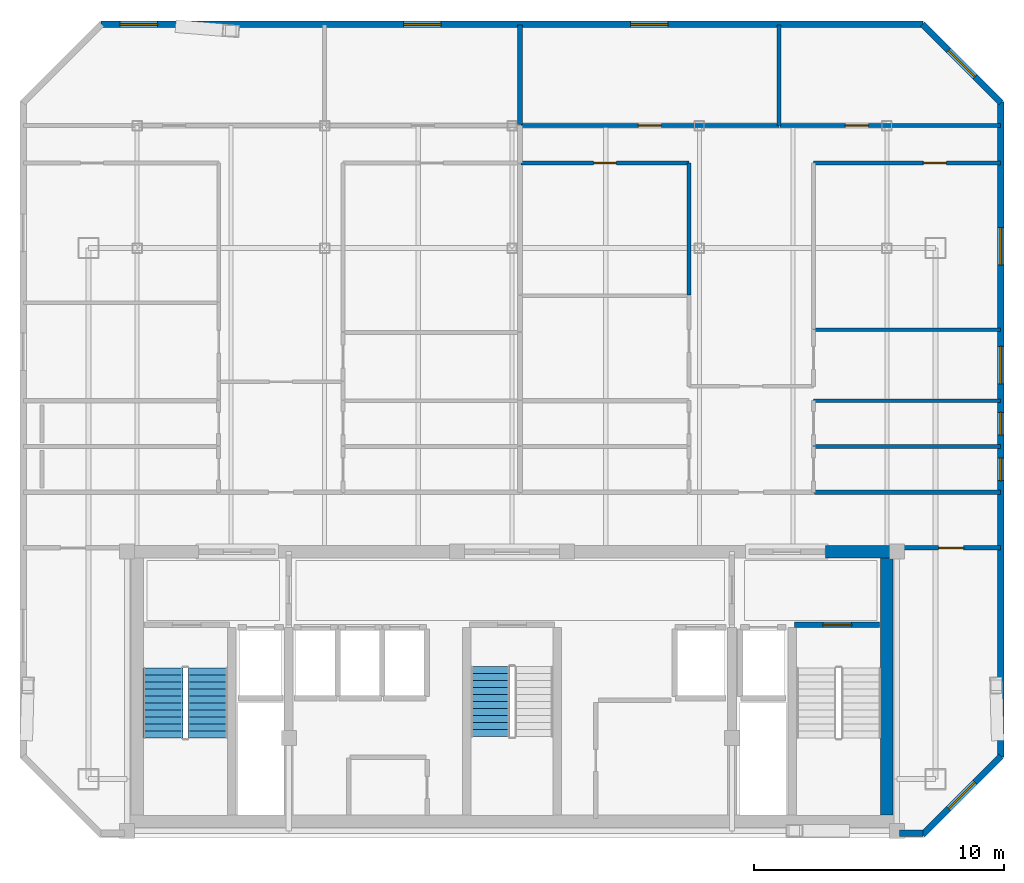
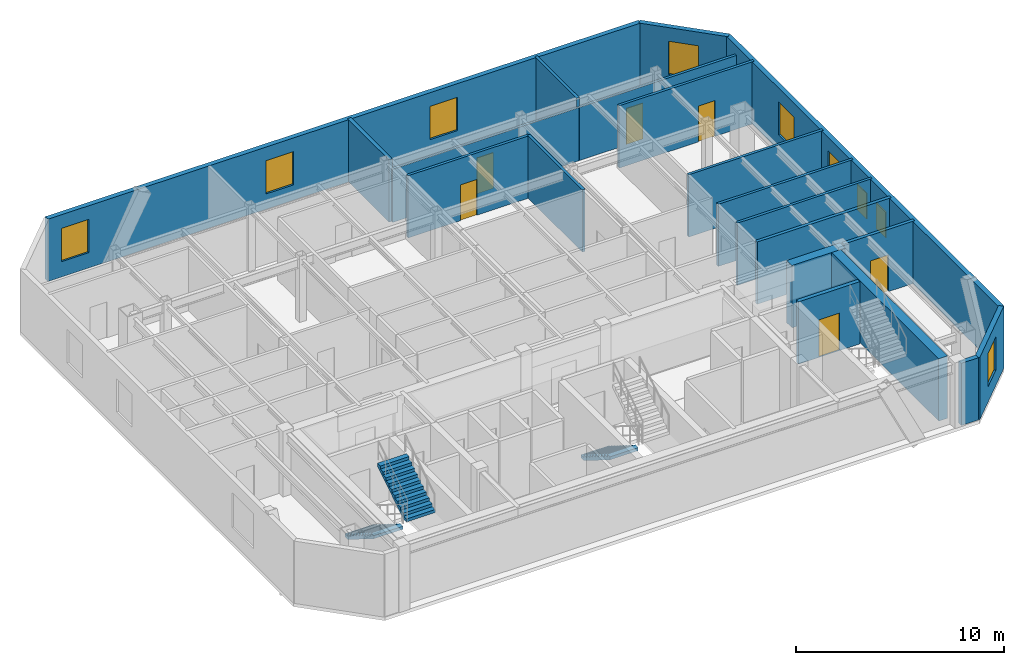
# One storey, part 5 of 7: 20 walls, 9 windows, 6 doors, 3 stair flights, 15 openings, 2 elements without a shape of their own.
"""IFC4 building model written with IfcOpenShell, lengths in metres."""

from ifc_helpers import new_model, si_unit, direction, frame, frame_2d, origin, place, context, subcontext, project, spatial, polyline, rectangle, outline, extrude, material, layer, layer_set, type_object, element, fill, aggregate, save


model = new_model("IFC4")

# Units and contexts
model_context = context("Model", 3, precision=1e-05, world=origin(), true_north=direction((0.0, 1.0)))
body_context = subcontext(model_context, "Body", "Model", "MODEL_VIEW")
ifc_project = project(units=[si_unit("LENGTHUNIT", "METRE"), si_unit("AREAUNIT", "SQUARE_METRE"), si_unit("VOLUMEUNIT", "CUBIC_METRE"), si_unit("PLANEANGLEUNIT", "RADIAN"), si_unit("MASSUNIT", "GRAM", prefix="KILO")], contexts=[model_context])

# Site, building, storey
site_placement = place(None, origin())
site = spatial("IfcSite", under=ifc_project, at=site_placement, CompositionType="ELEMENT")
building_placement = place(site_placement, origin())
building = spatial("IfcBuilding", under=site, at=building_placement, Name="Ventersveld Concourse Tower", CompositionType="ELEMENT")
storey_placement = place(building_placement, frame((0.0, 0.0, 320.75)))
storey = spatial("IfcBuildingStorey", under=building, at=storey_placement, Name="L79", CompositionType="ELEMENT", Elevation=320.75)

# Walls
ifc_material_1 = material(Name="Concrete C50/60", Category="concrete")
ifc_layer_1 = layer(ifc_material_1, 0.5)
ifc_layer_set_1 = layer_set([ifc_layer_1], Name="Concrete C50/60")
wall_type_1 = type_object("IfcWallType", Name="WL-CORE-500", PredefinedType="SHEAR", material=ifc_layer_set_1)
wall_1_placement = place(storey_placement, frame((43.75, 0.919921875, 0.0), z_axis=(0.0, 0.0, 1.0), x_axis=(0.0, 1.0, 0.0)))
element("IfcWall", 1, at=wall_1_placement, inside=storey, type_object=wall_type_1, Name="L79 Rear Core East Shear Wall", PredefinedType="SHEAR", context=body_context, shape_type="SweptSolid", body=[
    extrude(rectangle(XDim=10.530029296875, YDim=0.5, at=frame_2d((5.26513671875, 0.0))), origin(), (0.0, 0.0, 1.0), 3.64990234375),
])
wall_2_placement = place(storey_placement, frame((41.300048828125, 11.449951171875, 0.0), z_axis=(0.0, 0.0, 1.0), x_axis=(1.0, 0.0, 0.0)))
element("IfcWall", 2, at=wall_2_placement, inside=storey, type_object=wall_type_1, Name="L79 Rear Core North Shear Wall NE", PredefinedType="SHEAR", context=body_context, shape_type="SweptSolid", body=[
    extrude(rectangle(XDim=2.949951171875, YDim=0.5, at=frame_2d((1.47509765625, 0.0))), origin(), (0.0, 0.0, 1.0), 3.64990234375),
])

# Wall, opening, door
ifc_material_2 = material(Name="Fire-rated autoclaved aerated masonry blockwork", Category="masonry")
ifc_layer_2 = layer(ifc_material_2, 0.179931640625)
ifc_layer_set_2 = layer_set([ifc_layer_2], Name="Fire-rated autoclaved aerated masonry blockwork")
wall_type_2 = type_object("IfcWallType", Name="WL-CORR-180", PredefinedType="PARTITIONING", material=ifc_layer_set_2)
wall_3_placement = place(storey_placement, frame((44.35498046875, 11.60009765625, 0.0), z_axis=(0.0, 0.0, 1.0), x_axis=(1.0, 0.0, 0.0)))
wall_3 = element("IfcWall", 3, at=wall_3_placement, inside=storey, type_object=wall_type_2, Name="L79 Interior Partition SP-L79-SE-OFF-SP-L79-COR", PredefinedType="PARTITIONING", context=body_context, shape_type="SweptSolid", body=[
    extrude(rectangle(XDim=3.931396484375, YDim=0.179931640625, at=frame_2d((1.9658203125, 0.0))), origin(), (0.0, 0.0, 1.0), 3.64990234375),
])
opening_1_placement = place(wall_3_placement, frame((1.4658203125, 0.0, 0.0)))
opening_1 = element("IfcOpeningElement", 4, at=opening_1_placement, cuts=wall_3, Name="Opening FD3", PredefinedType="OPENING", context=body_context, shape_type="SweptSolid", body=[
    extrude(rectangle(XDim=1.0, YDim=2.14990234375, at=frame_2d((0.5, 1.074951171875))), frame((0.0, 0.10009765625, 0.0), z_axis=(0.0, -1.0, 0.0), x_axis=(1.0, 0.0, 0.0)), (0.0, 0.0, 1.0), 0.199951171875),
])
ifc_material_3 = material(Name="Solid-core hardwood veneer timber", Category="wood")
door_type_1 = type_object("IfcDoorType", Name="DR-FLAT-100", OperationType="NOTDEFINED", PredefinedType="DOOR", material=ifc_material_3)
door_1_placement = place(opening_1_placement, origin())
door_1 = element("IfcDoor", 5, at=door_1_placement, inside=storey, type_object=door_type_1, Name="L79 Interior Door SP-L79-SE-OFF to SP-L79-COR (D-L79-3603)", OperationType="SINGLE_SWING_LEFT", OverallHeight=2.14990234375, OverallWidth=1.0, PredefinedType="DOOR", context=body_context, shape_type="SweptSolid", body=[
    extrude(rectangle(XDim=1.0, YDim=2.14990234375, at=frame_2d((0.5, 1.074951171875))), frame((0.0, 0.02490234375, 0.0), z_axis=(0.0, -1.0, 0.0), x_axis=(1.0, 0.0, 0.0)), (0.0, 0.0, 1.0), 0.050048828125),
])
fill(opening_1, door_1)

# Walls
wall_4_placement = place(storey_placement, frame((40.845703125, 13.830078125, 0.0), z_axis=(0.0, 0.0, 1.0), x_axis=(1.0, 0.0, 0.0)))
element("IfcWall", 6, at=wall_4_placement, inside=storey, type_object=wall_type_2, Name="L79 Interior Partition SP-L79-COR-SP-L79-79N2-KIT", PredefinedType="PARTITIONING", context=body_context, shape_type="SweptSolid", body=[
    extrude(rectangle(XDim=7.440673828125, YDim=0.179931640625, at=frame_2d((3.72021484375, 0.0))), origin(), (0.0, 0.0, 1.0), 3.64990234375),
])
ifc_layer_3 = layer(ifc_material_2, 0.199951171875)
ifc_layer_set_3 = layer_set([ifc_layer_3], Name="Fire-rated autoclaved aerated masonry blockwork")
wall_type_3 = type_object("IfcWallType", Name="WL-DEMISE-200", PredefinedType="PARTITIONING", material=ifc_layer_set_3)
wall_5_placement = place(storey_placement, frame((29.072021484375, 28.534912109375, 0.0), z_axis=(0.0, 0.0, 1.0), x_axis=(0.0, 1.0, 0.0)))
element("IfcWall", 7, at=wall_5_placement, inside=storey, type_object=wall_type_3, Name="L79 Interior Partition SP-L79-79N1-BR2-SP-L79-79N2-BR1", PredefinedType="PARTITIONING", context=body_context, shape_type="SweptSolid", body=[
    extrude(rectangle(XDim=3.991943359375, YDim=0.199951171875, at=frame_2d((1.99609375, 0.0))), origin(), (0.0, 0.0, 1.0), 3.64990234375),
])

# Wall, opening, door
ifc_layer_4 = layer(ifc_material_2, 0.219970703125)
ifc_layer_set_4 = layer_set([ifc_layer_4], Name="Fire-rated autoclaved aerated masonry blockwork")
wall_type_4 = type_object("IfcWallType", Name="WL-HOIST-220", PredefinedType="SOLIDWALL", material=ifc_layer_set_4)
wall_6_placement = place(storey_placement, frame((40.06005859375, 8.52001953125, 0.0), z_axis=(0.0, 0.0, 1.0), x_axis=(1.0, 0.0, 0.0)))
wall_6 = element("IfcWall", 8, at=wall_6_placement, inside=storey, type_object=wall_type_4, Name="L79 Escape Stair ST02 Fire Wall", PredefinedType="SOLIDWALL", context=body_context, shape_type="SweptSolid", body=[
    extrude(rectangle(XDim=3.39990234375, YDim=0.219970703125, at=frame_2d((1.699951171875, 0.0))), origin(), (0.0, 0.0, 1.0), 3.64990234375),
])
opening_2_placement = place(wall_6_placement, frame((1.125, 0.0, 0.0)))
opening_2 = element("IfcOpeningElement", 9, at=opening_2_placement, cuts=wall_6, Name="Opening FD1", PredefinedType="OPENING", context=body_context, shape_type="SweptSolid", body=[
    extrude(rectangle(XDim=1.14990234375, YDim=2.199951171875, at=frame_2d((0.574951171875, 1.10009765625))), frame((0.0, 0.1201171875, 0.0), z_axis=(0.0, -1.0, 0.0), x_axis=(1.0, 0.0, 0.0)), (0.0, 0.0, 1.0), 0.239990234375),
])
ifc_material_4 = material(Name="Galvanised painted steel", Category="steel")
door_type_2 = type_object("IfcDoorType", Name="DR-STAIR-115", OperationType="NOTDEFINED", PredefinedType="DOOR", material=ifc_material_4)
door_2_placement = place(opening_2_placement, origin())
door_2 = element("IfcDoor", 10, at=door_2_placement, inside=storey, type_object=door_type_2, Name="L79 Escape Stair Door ST02 (SD-L79-3593)", OperationType="SINGLE_SWING_RIGHT", OverallHeight=2.199951171875, OverallWidth=1.14990234375, PredefinedType="DOOR", context=body_context, shape_type="SweptSolid", body=[
    extrude(rectangle(XDim=1.14990234375, YDim=2.199951171875, at=frame_2d((0.574951171875, 1.10009765625))), frame((0.0, 0.02490234375, 0.0), z_axis=(0.0, -1.0, 0.0), x_axis=(1.0, 0.0, 0.0)), (0.0, 0.0, 1.0), 0.050048828125),
])
fill(opening_2, door_2)

ifc_material_5 = material(Name="Autoclaved aerated masonry blockwork", Category="masonry")
ifc_layer_5 = layer(ifc_material_5, 0.14990234375)
ifc_layer_set_5 = layer_set([ifc_layer_5], Name="Autoclaved aerated masonry blockwork")
wall_type_5 = type_object("IfcWallType", Name="WL-INT-150", PredefinedType="PARTITIONING", material=ifc_layer_set_5)
wall_7_placement = place(storey_placement, frame((29.10693359375, 27.0, 0.0), z_axis=(0.0, 0.0, 1.0), x_axis=(1.0, 0.0, 0.0)))
wall_7 = element("IfcWall", 11, at=wall_7_placement, inside=storey, type_object=wall_type_5, Name="L79 Interior Partition SP-L79-79N2-LIV-SP-L79-79N2-MEDL2", PredefinedType="PARTITIONING", context=body_context, shape_type="SweptSolid", body=[
    extrude(rectangle(XDim=6.728759765625, YDim=0.14990234375, at=frame_2d((3.3642578125, 0.0))), origin(), (0.0, 0.0, 1.0), 3.64990234375),
])
opening_3_placement = place(wall_7_placement, frame((2.904296875, 0.0, 0.0)))
opening_3 = element("IfcOpeningElement", 12, at=opening_3_placement, cuts=wall_7, Name="Opening ID1", PredefinedType="OPENING", context=body_context, shape_type="SweptSolid", body=[
    extrude(rectangle(XDim=0.919921875, YDim=2.10009765625, at=frame_2d((0.4599609375, 1.050048828125))), frame((0.0, 0.0849609375, 0.0), z_axis=(0.0, -1.0, 0.0), x_axis=(1.0, 0.0, 0.0)), (0.0, 0.0, 1.0), 0.169921875),
])
door_type_3 = type_object("IfcDoorType", Name="DR-ROOM-092", OperationType="NOTDEFINED", PredefinedType="DOOR", material=ifc_material_3)
door_3_placement = place(opening_3_placement, origin())
door_3 = element("IfcDoor", 13, at=door_3_placement, inside=storey, type_object=door_type_3, Name="L79 Interior Door SP-L79-79N2-LIV to SP-L79-79N2-MEDL2 (D-L79-3623)", OperationType="SINGLE_SWING_LEFT", OverallHeight=2.10009765625, OverallWidth=0.919921875, PredefinedType="DOOR", context=body_context, shape_type="SweptSolid", body=[
    extrude(rectangle(XDim=0.919921875, YDim=2.10009765625, at=frame_2d((0.4599609375, 1.050048828125))), frame((0.0, 0.02490234375, 0.0), z_axis=(0.0, -1.0, 0.0), x_axis=(1.0, 0.0, 0.0)), (0.0, 0.0, 1.0), 0.050048828125),
])
fill(opening_3, door_3)

# Wall
wall_8_placement = place(storey_placement, frame((35.83056640625, 21.72509765625, 0.0), z_axis=(0.0, 0.0, 1.0), x_axis=(0.0, 1.0, 0.0)))
element("IfcWall", 14, at=wall_8_placement, inside=storey, type_object=wall_type_5, Name="L79 Interior Partition SP-L79-79N2-LIV-SP-L79-79N2-MEDL2", PredefinedType="PARTITIONING", context=body_context, shape_type="SweptSolid", body=[
    extrude(rectangle(XDim=5.27978515625, YDim=0.14990234375, at=frame_2d((2.639892578125, 0.0))), origin(), (0.0, 0.0, 1.0), 3.64990234375),
])

# Wall, opening, door
wall_9_placement = place(storey_placement, frame((40.8056640625, 27.0, 0.0), z_axis=(0.0, 0.0, 1.0), x_axis=(1.0, 0.0, 0.0)))
wall_9 = element("IfcWall", 15, at=wall_9_placement, inside=storey, type_object=wall_type_5, Name="L79 Interior Partition SP-L79-79N2-LIV-SP-L79-79N2-DENS2", PredefinedType="PARTITIONING", context=body_context, shape_type="SweptSolid", body=[
    extrude(rectangle(XDim=7.480712890625, YDim=0.14990234375, at=frame_2d((3.740234375, 0.0))), origin(), (0.0, 0.0, 1.0), 3.64990234375),
])
opening_4_placement = place(wall_9_placement, frame((4.402587890625, 0.0, 0.0)))
opening_4 = element("IfcOpeningElement", 16, at=opening_4_placement, cuts=wall_9, Name="Opening ID1", PredefinedType="OPENING", context=body_context, shape_type="SweptSolid", body=[
    extrude(rectangle(XDim=0.919921875, YDim=2.10009765625, at=frame_2d((0.4599609375, 1.050048828125))), frame((0.0, 0.0849609375, 0.0), z_axis=(0.0, -1.0, 0.0), x_axis=(1.0, 0.0, 0.0)), (0.0, 0.0, 1.0), 0.169921875),
])
door_4_placement = place(opening_4_placement, origin())
door_4 = element("IfcDoor", 17, at=door_4_placement, inside=storey, type_object=door_type_3, Name="L79 Interior Door SP-L79-79N2-LIV to SP-L79-79N2-DENS2 (D-L79-3625)", OperationType="SINGLE_SWING_LEFT", OverallHeight=2.10009765625, OverallWidth=0.919921875, PredefinedType="DOOR", context=body_context, shape_type="SweptSolid", body=[
    extrude(rectangle(XDim=0.919921875, YDim=2.10009765625, at=frame_2d((0.4599609375, 1.050048828125))), frame((0.0, 0.02490234375, 0.0), z_axis=(0.0, -1.0, 0.0), x_axis=(1.0, 0.0, 0.0)), (0.0, 0.0, 1.0), 0.050048828125),
])
fill(opening_4, door_4)

wall_10_placement = place(storey_placement, frame((29.10693359375, 28.5, 0.0), z_axis=(0.0, 0.0, 1.0), x_axis=(1.0, 0.0, 0.0)))
wall_10 = element("IfcWall", 18, at=wall_10_placement, inside=storey, type_object=wall_type_5, Name="L79 Interior Partition SP-L79-79N2-LIV-SP-L79-79N2-BR1", PredefinedType="PARTITIONING", context=body_context, shape_type="SweptSolid", body=[
    extrude(rectangle(XDim=10.328369140625, YDim=0.14990234375, at=frame_2d((5.1640625, 0.0))), origin(), (0.0, 0.0, 1.0), 3.116943359375),
])
opening_5_placement = place(wall_10_placement, frame((4.7041015625, 0.0, 0.0)))
opening_5 = element("IfcOpeningElement", 19, at=opening_5_placement, cuts=wall_10, Name="Opening ID1", PredefinedType="OPENING", context=body_context, shape_type="SweptSolid", body=[
    extrude(rectangle(XDim=0.919921875, YDim=2.10009765625, at=frame_2d((0.4599609375, 1.050048828125))), frame((0.0, 0.0849609375, 0.0), z_axis=(0.0, -1.0, 0.0), x_axis=(1.0, 0.0, 0.0)), (0.0, 0.0, 1.0), 0.169921875),
])
door_5_placement = place(opening_5_placement, origin())
door_5 = element("IfcDoor", 20, at=door_5_placement, inside=storey, type_object=door_type_3, Name="L79 Interior Door SP-L79-79N2-LIV to SP-L79-79N2-BR1 (D-L79-3626)", OperationType="SINGLE_SWING_RIGHT", OverallHeight=2.10009765625, OverallWidth=0.919921875, PredefinedType="DOOR", context=body_context, shape_type="SweptSolid", body=[
    extrude(rectangle(XDim=0.919921875, YDim=2.10009765625, at=frame_2d((0.4599609375, 1.050048828125))), frame((0.0, 0.02490234375, 0.0), z_axis=(0.0, -1.0, 0.0), x_axis=(1.0, 0.0, 0.0)), (0.0, 0.0, 1.0), 0.050048828125),
])
fill(opening_5, door_5)

wall_11_placement = place(storey_placement, frame((39.46533203125, 28.5, 0.0), z_axis=(0.0, 0.0, 1.0), x_axis=(1.0, 0.0, 0.0)))
wall_11 = element("IfcWall", 21, at=wall_11_placement, inside=storey, type_object=wall_type_5, Name="L79 Interior Partition SP-L79-79N2-LIV-SP-L79-79N2-BR2", PredefinedType="PARTITIONING", context=body_context, shape_type="SweptSolid", body=[
    extrude(rectangle(XDim=8.821044921875, YDim=0.14990234375, at=frame_2d((4.41064453125, 0.0))), origin(), (0.0, 0.0, 1.0), 3.116943359375),
])
opening_6_placement = place(wall_11_placement, frame((2.62744140625, 0.0, 0.0)))
opening_6 = element("IfcOpeningElement", 22, at=opening_6_placement, cuts=wall_11, Name="Opening ID1", PredefinedType="OPENING", context=body_context, shape_type="SweptSolid", body=[
    extrude(rectangle(XDim=0.919921875, YDim=2.10009765625, at=frame_2d((0.4599609375, 1.050048828125))), frame((0.0, 0.0849609375, 0.0), z_axis=(0.0, -1.0, 0.0), x_axis=(1.0, 0.0, 0.0)), (0.0, 0.0, 1.0), 0.169921875),
])
door_6_placement = place(opening_6_placement, origin())
door_6 = element("IfcDoor", 23, at=door_6_placement, inside=storey, type_object=door_type_3, Name="L79 Interior Door SP-L79-79N2-LIV to SP-L79-79N2-BR2 (D-L79-3627)", OperationType="SINGLE_SWING_LEFT", OverallHeight=2.10009765625, OverallWidth=0.919921875, PredefinedType="DOOR", context=body_context, shape_type="SweptSolid", body=[
    extrude(rectangle(XDim=0.919921875, YDim=2.10009765625, at=frame_2d((0.4599609375, 1.050048828125))), frame((0.0, 0.02490234375, 0.0), z_axis=(0.0, -1.0, 0.0), x_axis=(1.0, 0.0, 0.0)), (0.0, 0.0, 1.0), 0.050048828125),
])
fill(opening_6, door_6)

# Walls
for number, where, z_axis, x_axis, name in (
    (24, (40.8056640625, 15.659912109375, 0.0), (0.0, 0.0, 1.0), (1.0, 0.0, 0.0), "L79 Interior Partition SP-L79-79N2-KIT-SP-L79-79N2-PANR1"),
    (25, (40.8056640625, 17.489990234375, 0.0), (0.0, 0.0, 1.0), (1.0, 0.0, 0.0), "L79 Interior Partition SP-L79-79N2-PANR1-SP-L79-79N2-SEMR3"),
    (26, (40.8056640625, 20.33203125, 0.0), (0.0, 0.0, 1.0), (1.0, 0.0, 0.0), "L79 Interior Partition SP-L79-79N2-SEMR3-SP-L79-79N2-DENS2"),
):
    element("IfcWall", number, at=place(storey_placement, frame(where, z_axis=z_axis, x_axis=x_axis)), inside=storey, type_object=wall_type_5, Name=name, PredefinedType="PARTITIONING", context=body_context, shape_type="SweptSolid", body=[
        extrude(rectangle(XDim=7.480712890625, YDim=0.14990234375, at=frame_2d((3.740234375, 0.0))), origin(), (0.0, 0.0, 1.0), 3.64990234375),
    ])
wall_12_placement = place(storey_placement, frame((39.430419921875, 28.4951171875, 0.0), z_axis=(0.0, 0.0, 1.0), x_axis=(0.0, 1.0, 0.0)))
element("IfcWall", 27, at=wall_12_placement, inside=storey, type_object=wall_type_5, Name="L79 Interior Partition SP-L79-79N2-BR1-SP-L79-79N2-BR2", PredefinedType="PARTITIONING", context=body_context, shape_type="SweptSolid", body=[
    extrude(rectangle(XDim=4.03173828125, YDim=0.14990234375, at=frame_2d((2.015869140625, 0.0))), origin(), (0.0, 0.0, 1.0), 3.64990234375),
])
ifc_material_6 = material(Name="Precast concrete C45/55", Category="concrete")
ifc_layer_6 = layer(ifc_material_6, 0.260009765625)
ifc_layer_set_6 = layer_set([ifc_layer_6], Name="Precast concrete C45/55")
wall_type_6 = type_object("IfcWallType", Name="WL-PREC-260", PredefinedType="SOLIDWALL", material=ifc_layer_set_6)
wall_13_placement = place(storey_placement, frame((44.25, 0.179931640625, 0.0), z_axis=(0.0, 0.0, 1.0), x_axis=(1.0, 0.0, 0.0)))
element("IfcWall", 28, at=wall_13_placement, inside=storey, type_object=wall_type_6, Name="L79 South-East Flank Precast Wall", PredefinedType="SOLIDWALL", context=body_context, shape_type="SweptSolid", body=[
    extrude(rectangle(XDim=0.94580078125, YDim=0.260009765625, at=frame_2d((0.472900390625, 0.0))), origin(), (0.0, 0.0, 1.0), 3.64990234375),
])

# Wall, opening, window
wall_14_placement = place(storey_placement, frame((45.17236328125, 0.1201171875, 0.0), z_axis=(0.0, 0.0, 1.0), x_axis=(0.707079321262, 0.707134240044, 0.0)))
wall_14 = element("IfcWall", 29, at=wall_14_placement, inside=storey, type_object=wall_type_6, Name="L79 Highveld Precast Facade Wall E02", PredefinedType="SOLIDWALL", context=body_context, shape_type="SweptSolid", body=[
    extrude(rectangle(XDim=4.445556640625, YDim=0.260009765625, at=frame_2d((2.22265625, 0.0))), origin(), (0.0, 0.0, 1.0), 3.64990234375),
])
opening_7_placement = place(wall_14_placement, frame((1.47265625, 0.0, 0.89990234375)))
opening_7 = element("IfcOpeningElement", 30, at=opening_7_placement, cuts=wall_14, Name="Opening W1", PredefinedType="OPENING", context=body_context, shape_type="SweptSolid", body=[
    extrude(rectangle(XDim=1.5, YDim=1.949951171875, at=frame_2d((0.75, 0.97509765625))), frame((0.0, 0.14013671875, 0.0), z_axis=(0.0, -1.0, 0.0), x_axis=(1.0, 0.0, 0.0)), (0.0, 0.0, 1.0), 0.280029296875),
])
ifc_material_7 = material(Name="Tempered acoustic Low-E IGU", Category="glass")
window_type_1 = type_object("IfcWindowType", Name="WIN-150x210", PartitioningType="SINGLE_PANEL", PredefinedType="WINDOW", material=ifc_material_7)
window_1_placement = place(opening_7_placement, origin())
window_1 = element("IfcWindow", 31, at=window_1_placement, inside=storey, type_object=window_type_1, Name="L79 Punched Low-E Window W-1116", OverallHeight=1.949951171875, OverallWidth=1.5, PartitioningType="SINGLE_PANEL", PredefinedType="WINDOW", context=body_context, shape_type="SweptSolid", body=[
    extrude(rectangle(XDim=1.5, YDim=1.949951171875, at=frame_2d((0.75, 0.97509765625))), frame((0.0, 0.030029296875, 0.0), z_axis=(0.0, -1.0, 0.0), x_axis=(1.0, 0.0, 0.0)), (0.0, 0.0, 1.0), 0.06005859375),
])
fill(opening_7, window_1)

# Wall, openings, windows
wall_15_placement = place(storey_placement, frame((48.305908203125, 3.239990234375, 0.0), z_axis=(0.0, 0.0, 1.0), x_axis=(0.0, 1.0, 0.0)))
wall_15 = element("IfcWall", 32, at=wall_15_placement, inside=storey, type_object=wall_type_6, Name="L79 Highveld Precast Facade Wall E03", PredefinedType="SOLIDWALL", context=body_context, shape_type="SweptSolid", body=[
    extrude(rectangle(XDim=26.1962890625, YDim=0.260009765625, at=frame_2d((13.09814453125, 0.0))), origin(), (0.0, 0.0, 1.0), 3.64990234375),
])
opening_8_placement = place(wall_15_placement, frame((11.054931640625, 0.0, 0.949951171875)))
opening_8 = element("IfcOpeningElement", 33, at=opening_8_placement, cuts=wall_15, Name="Opening W4", PredefinedType="OPENING", context=body_context, shape_type="SweptSolid", body=[
    extrude(rectangle(XDim=0.89990234375, YDim=1.5, at=frame_2d((0.449951171875, 0.75))), frame((0.0, 0.14013671875, 0.0), z_axis=(0.0, -1.0, 0.0), x_axis=(1.0, 0.0, 0.0)), (0.0, 0.0, 1.0), 0.280029296875),
])
opening_9_placement = place(wall_15_placement, frame((12.885009765625, 0.0, 0.949951171875)))
opening_9 = element("IfcOpeningElement", 34, at=opening_9_placement, cuts=wall_15, Name="Opening W4", PredefinedType="OPENING", context=body_context, shape_type="SweptSolid", body=[
    extrude(rectangle(XDim=0.89990234375, YDim=1.5, at=frame_2d((0.449951171875, 0.75))), frame((0.0, 0.14013671875, 0.0), z_axis=(0.0, -1.0, 0.0), x_axis=(1.0, 0.0, 0.0)), (0.0, 0.0, 1.0), 0.280029296875),
])
opening_10_placement = place(wall_15_placement, frame((14.9208984375, 0.0, 0.89990234375)))
opening_10 = element("IfcOpeningElement", 35, at=opening_10_placement, cuts=wall_15, Name="Opening W1", PredefinedType="OPENING", context=body_context, shape_type="SweptSolid", body=[
    extrude(rectangle(XDim=1.5, YDim=1.949951171875, at=frame_2d((0.75, 0.97509765625))), frame((0.0, 0.14013671875, 0.0), z_axis=(0.0, -1.0, 0.0), x_axis=(1.0, 0.0, 0.0)), (0.0, 0.0, 1.0), 0.280029296875),
])
opening_11_placement = place(wall_15_placement, frame((19.676025390625, 0.0, 0.89990234375)))
opening_11 = element("IfcOpeningElement", 36, at=opening_11_placement, cuts=wall_15, Name="Opening W1", PredefinedType="OPENING", context=body_context, shape_type="SweptSolid", body=[
    extrude(rectangle(XDim=1.5, YDim=1.949951171875, at=frame_2d((0.75, 0.97509765625))), frame((0.0, 0.14013671875, 0.0), z_axis=(0.0, -1.0, 0.0), x_axis=(1.0, 0.0, 0.0)), (0.0, 0.0, 1.0), 0.280029296875),
])
window_type_2 = type_object("IfcWindowType", Name="WIN-090x150", PartitioningType="SINGLE_PANEL", PredefinedType="WINDOW", material=ifc_material_7)
window_2_placement = place(opening_8_placement, origin())
window_2 = element("IfcWindow", 37, at=window_2_placement, inside=storey, type_object=window_type_2, Name="L79 Punched Low-E Window W-1121", OverallHeight=1.5, OverallWidth=0.89990234375, PartitioningType="SINGLE_PANEL", PredefinedType="WINDOW", context=body_context, shape_type="SweptSolid", body=[
    extrude(rectangle(XDim=0.89990234375, YDim=1.5, at=frame_2d((0.449951171875, 0.75))), frame((0.0, 0.030029296875, 0.0), z_axis=(0.0, -1.0, 0.0), x_axis=(1.0, 0.0, 0.0)), (0.0, 0.0, 1.0), 0.06005859375),
])
fill(opening_8, window_2)
window_3_placement = place(opening_9_placement, origin())
window_3 = element("IfcWindow", 38, at=window_3_placement, inside=storey, type_object=window_type_2, Name="L79 Punched Low-E Window W-1122", OverallHeight=1.5, OverallWidth=0.89990234375, PartitioningType="SINGLE_PANEL", PredefinedType="WINDOW", context=body_context, shape_type="SweptSolid", body=[
    extrude(rectangle(XDim=0.89990234375, YDim=1.5, at=frame_2d((0.449951171875, 0.75))), frame((0.0, 0.030029296875, 0.0), z_axis=(0.0, -1.0, 0.0), x_axis=(1.0, 0.0, 0.0)), (0.0, 0.0, 1.0), 0.06005859375),
])
fill(opening_9, window_3)
window_4_placement = place(opening_10_placement, origin())
window_4 = element("IfcWindow", 39, at=window_4_placement, inside=storey, type_object=window_type_1, Name="L79 Punched Low-E Window W-1123", OverallHeight=1.949951171875, OverallWidth=1.5, PartitioningType="SINGLE_PANEL", PredefinedType="WINDOW", context=body_context, shape_type="SweptSolid", body=[
    extrude(rectangle(XDim=1.5, YDim=1.949951171875, at=frame_2d((0.75, 0.97509765625))), frame((0.0, 0.030029296875, 0.0), z_axis=(0.0, -1.0, 0.0), x_axis=(1.0, 0.0, 0.0)), (0.0, 0.0, 1.0), 0.06005859375),
])
fill(opening_10, window_4)
window_5_placement = place(opening_11_placement, origin())
window_5 = element("IfcWindow", 40, at=window_5_placement, inside=storey, type_object=window_type_1, Name="L79 Punched Low-E Window W-1124", OverallHeight=1.949951171875, OverallWidth=1.5, PartitioningType="SINGLE_PANEL", PredefinedType="WINDOW", context=body_context, shape_type="SweptSolid", body=[
    extrude(rectangle(XDim=1.5, YDim=1.949951171875, at=frame_2d((0.75, 0.97509765625))), frame((0.0, 0.030029296875, 0.0), z_axis=(0.0, -1.0, 0.0), x_axis=(1.0, 0.0, 0.0)), (0.0, 0.0, 1.0), 0.06005859375),
])
fill(opening_11, window_5)

# Wall, opening, window
wall_16_placement = place(storey_placement, frame((48.315673828125, 29.41259765625, 0.0), z_axis=(0.0, 0.0, 1.0), x_axis=(-0.707079321262, 0.707134240044, 0.0)))
wall_16 = element("IfcWall", 41, at=wall_16_placement, inside=storey, type_object=wall_type_6, Name="L79 Highveld Precast Facade Wall E04", PredefinedType="SOLIDWALL", context=body_context, shape_type="SweptSolid", body=[
    extrude(rectangle(XDim=4.445556640625, YDim=0.260009765625, at=frame_2d((2.22265625, 0.0))), origin(), (0.0, 0.0, 1.0), 3.64990234375),
])
opening_12_placement = place(wall_16_placement, frame((1.47265625, 0.0, 0.89990234375)))
opening_12 = element("IfcOpeningElement", 42, at=opening_12_placement, cuts=wall_16, Name="Opening W1", PredefinedType="OPENING", context=body_context, shape_type="SweptSolid", body=[
    extrude(rectangle(XDim=1.5, YDim=1.949951171875, at=frame_2d((0.75, 0.97509765625))), frame((0.0, 0.14013671875, 0.0), z_axis=(0.0, -1.0, 0.0), x_axis=(1.0, 0.0, 0.0)), (0.0, 0.0, 1.0), 0.280029296875),
])
window_6_placement = place(opening_12_placement, origin())
window_6 = element("IfcWindow", 43, at=window_6_placement, inside=storey, type_object=window_type_1, Name="L79 Punched Low-E Window W-1126", OverallHeight=1.949951171875, OverallWidth=1.5, PartitioningType="SINGLE_PANEL", PredefinedType="WINDOW", context=body_context, shape_type="SweptSolid", body=[
    extrude(rectangle(XDim=1.5, YDim=1.949951171875, at=frame_2d((0.75, 0.97509765625))), frame((0.0, 0.030029296875, 0.0), z_axis=(0.0, -1.0, 0.0), x_axis=(1.0, 0.0, 0.0)), (0.0, 0.0, 1.0), 0.06005859375),
])
fill(opening_12, window_6)

# Wall, openings, windows
wall_17_placement = place(storey_placement, frame((45.19580078125, 32.54638671875, 0.0), z_axis=(0.0, 0.0, 1.0), x_axis=(-1.0, 0.0, 0.0)))
wall_17 = element("IfcWall", 44, at=wall_17_placement, inside=storey, type_object=wall_type_6, Name="L79 Highveld Precast Facade Wall E05", PredefinedType="SOLIDWALL", context=body_context, shape_type="SweptSolid", body=[
    extrude(rectangle(XDim=32.8916015625, YDim=0.260009765625, at=frame_2d((16.44580078125, 0.0))), origin(), (0.0, 0.0, 1.0), 3.64990234375),
])
opening_13_placement = place(wall_17_placement, frame((30.621826171875, 0.0, 0.89990234375)))
opening_13 = element("IfcOpeningElement", 45, at=opening_13_placement, cuts=wall_17, Name="Opening W1", PredefinedType="OPENING", context=body_context, shape_type="SweptSolid", body=[
    extrude(rectangle(XDim=1.5, YDim=1.949951171875, at=frame_2d((0.75, 0.97509765625))), frame((0.0, 0.14013671875, 0.0), z_axis=(0.0, -1.0, 0.0), x_axis=(1.0, 0.0, 0.0)), (0.0, 0.0, 1.0), 0.280029296875),
])
opening_14_placement = place(wall_17_placement, frame((19.284912109375, 0.0, 0.89990234375)))
opening_14 = element("IfcOpeningElement", 46, at=opening_14_placement, cuts=wall_17, Name="Opening W1", PredefinedType="OPENING", context=body_context, shape_type="SweptSolid", body=[
    extrude(rectangle(XDim=1.5, YDim=1.949951171875, at=frame_2d((0.75, 0.97509765625))), frame((0.0, 0.14013671875, 0.0), z_axis=(0.0, -1.0, 0.0), x_axis=(1.0, 0.0, 0.0)), (0.0, 0.0, 1.0), 0.280029296875),
])
opening_15_placement = place(wall_17_placement, frame((10.19482421875, 0.0, 0.89990234375)))
opening_15 = element("IfcOpeningElement", 47, at=opening_15_placement, cuts=wall_17, Name="Opening W1", PredefinedType="OPENING", context=body_context, shape_type="SweptSolid", body=[
    extrude(rectangle(XDim=1.5, YDim=1.949951171875, at=frame_2d((0.75, 0.97509765625))), frame((0.0, 0.14013671875, 0.0), z_axis=(0.0, -1.0, 0.0), x_axis=(1.0, 0.0, 0.0)), (0.0, 0.0, 1.0), 0.280029296875),
])
window_7_placement = place(opening_13_placement, origin())
window_7 = element("IfcWindow", 48, at=window_7_placement, inside=storey, type_object=window_type_1, Name="L79 Punched Low-E Window W-1119", OverallHeight=1.949951171875, OverallWidth=1.5, PartitioningType="SINGLE_PANEL", PredefinedType="WINDOW", context=body_context, shape_type="SweptSolid", body=[
    extrude(rectangle(XDim=1.5, YDim=1.949951171875, at=frame_2d((0.75, 0.97509765625))), frame((0.0, 0.030029296875, 0.0), z_axis=(0.0, -1.0, 0.0), x_axis=(1.0, 0.0, 0.0)), (0.0, 0.0, 1.0), 0.06005859375),
])
fill(opening_13, window_7)
window_8_placement = place(opening_14_placement, origin())
window_8 = element("IfcWindow", 49, at=window_8_placement, inside=storey, type_object=window_type_1, Name="L79 Punched Low-E Window W-1120", OverallHeight=1.949951171875, OverallWidth=1.5, PartitioningType="SINGLE_PANEL", PredefinedType="WINDOW", context=body_context, shape_type="SweptSolid", body=[
    extrude(rectangle(XDim=1.5, YDim=1.949951171875, at=frame_2d((0.75, 0.97509765625))), frame((0.0, 0.030029296875, 0.0), z_axis=(0.0, -1.0, 0.0), x_axis=(1.0, 0.0, 0.0)), (0.0, 0.0, 1.0), 0.06005859375),
])
fill(opening_14, window_8)
window_9_placement = place(opening_15_placement, origin())
window_9 = element("IfcWindow", 50, at=window_9_placement, inside=storey, type_object=window_type_1, Name="L79 Punched Low-E Window W-1125", OverallHeight=1.949951171875, OverallWidth=1.5, PartitioningType="SINGLE_PANEL", PredefinedType="WINDOW", context=body_context, shape_type="SweptSolid", body=[
    extrude(rectangle(XDim=1.5, YDim=1.949951171875, at=frame_2d((0.75, 0.97509765625))), frame((0.0, 0.030029296875, 0.0), z_axis=(0.0, -1.0, 0.0), x_axis=(1.0, 0.0, 0.0)), (0.0, 0.0, 1.0), 0.06005859375),
])
fill(opening_15, window_9)

# Stair, stair flight
stair_type_1 = type_object("IfcStairType", Name="ST-DOG-155", PredefinedType="HALF_TURN_STAIR", material=ifc_material_1)
stair_1_placement = place(storey_placement, origin())
stair_1 = element("IfcStair", 51, at=stair_1_placement, inside=storey, type_object=stair_type_1, Name="L79 Protected Central Core Escape Stair ST-03", PredefinedType="HALF_TURN_STAIR")
stair_flight_type_1 = type_object("IfcStairFlightType", Name="STF-RC-155", PredefinedType="STRAIGHT", material=ifc_material_1)
stair_flight_1_placement = place(storey_placement, frame((27.875, 6.85009765625, 0.0), z_axis=(0.0, 0.0, 1.0), x_axis=(0.0, -1.0, 0.0)))
stair_flight_1 = element("IfcStairFlight", 52, at=stair_flight_1_placement, type_object=stair_flight_type_1, Name="ST-03 flight 1", NumberOfRisers=11, NumberOfTreads=10, PredefinedType="STRAIGHT", RiserHeight=0.175, TreadLength=0.28, context=body_context, shape_type="SweptSolid", body=[
    extrude(outline(polyline([(0.0, 0.0), (0.0, 0.175048828125), (0.280029296875, 0.175048828125), (0.280029296875, 0.35009765625), (0.56005859375, 0.35009765625), (0.56005859375, 0.52490234375), (0.840087890625, 0.52490234375), (0.840087890625, 0.699951171875), (1.1201171875, 0.699951171875), (1.1201171875, 0.875), (1.39990234375, 0.875), (1.39990234375, 1.050048828125), (1.679931640625, 1.050048828125), (1.679931640625, 1.22509765625), (1.9599609375, 1.22509765625), (1.9599609375, 1.39990234375), (2.239990234375, 1.39990234375), (2.239990234375, 1.574951171875), (2.52001953125, 1.574951171875), (2.52001953125, 1.75), (2.800048828125, 1.75), (2.800048828125, 1.925048828125), (2.800048828125, 1.5732421875), (0.28271484375, 0.0), (0.0, 0.0)])), frame((0.0, 0.77490234375, 0.0), z_axis=(0.0, -1.0, 0.0), x_axis=(1.0, 0.0, 0.0)), (0.0, 0.0, 1.0), 1.550048828125),
])
aggregate(stair_1, [stair_flight_1])

# Stair, stair flights
stair_type_2 = type_object("IfcStairType", Name="ST-DOG-160", PredefinedType="HALF_TURN_STAIR", material=ifc_material_1)
stair_2_placement = place(storey_placement, origin())
stair_2 = element("IfcStair", 53, at=stair_2_placement, inside=storey, type_object=stair_type_2, Name="L79 Protected Tower Escape Stair ST-01", PredefinedType="HALF_TURN_STAIR")
stair_flight_type_2 = type_object("IfcStairFlightType", Name="STF-RC-160", PredefinedType="STRAIGHT", material=ifc_material_1)
stair_flight_2_placement = place(storey_placement, frame((14.780029296875, 6.800048828125, 0.0), z_axis=(0.0, 0.0, 1.0), x_axis=(0.0, -1.0, 0.0)))
stair_flight_2 = element("IfcStairFlight", 54, at=stair_flight_2_placement, type_object=stair_flight_type_2, Name="ST-01 flight 1", NumberOfRisers=11, NumberOfTreads=10, PredefinedType="STRAIGHT", RiserHeight=0.175, TreadLength=0.28, context=body_context, shape_type="SweptSolid", body=[
    extrude(outline(polyline([(0.0, 0.0), (0.0, 0.175048828125), (0.280029296875, 0.175048828125), (0.280029296875, 0.35009765625), (0.56005859375, 0.35009765625), (0.56005859375, 0.52490234375), (0.840087890625, 0.52490234375), (0.840087890625, 0.699951171875), (1.1201171875, 0.699951171875), (1.1201171875, 0.875), (1.39990234375, 0.875), (1.39990234375, 1.050048828125), (1.679931640625, 1.050048828125), (1.679931640625, 1.22509765625), (1.9599609375, 1.22509765625), (1.9599609375, 1.39990234375), (2.239990234375, 1.39990234375), (2.239990234375, 1.574951171875), (2.52001953125, 1.574951171875), (2.52001953125, 1.75), (2.800048828125, 1.75), (2.800048828125, 1.925048828125), (2.800048828125, 1.5732421875), (0.28271484375, 0.0), (0.0, 0.0)])), frame((0.0, 0.800048828125, 0.0), z_axis=(0.0, -1.0, 0.0), x_axis=(1.0, 0.0, 0.0)), (0.0, 0.0, 1.0), 1.60009765625),
])
stair_flight_3_placement = place(storey_placement, frame((16.580078125, 4.0, 1.925048828125), z_axis=(0.0, 0.0, 1.0), x_axis=(0.0, 1.0, 0.0)))
stair_flight_3 = element("IfcStairFlight", 55, at=stair_flight_3_placement, type_object=stair_flight_type_2, Name="ST-01 flight 2", NumberOfRisers=11, NumberOfTreads=10, PredefinedType="STRAIGHT", RiserHeight=0.175, TreadLength=0.28, context=body_context, shape_type="SweptSolid", body=[
    extrude(outline(polyline([(0.0, 0.0), (0.0, 0.175048828125), (0.280029296875, 0.175048828125), (0.280029296875, 0.35009765625), (0.56005859375, 0.35009765625), (0.56005859375, 0.52490234375), (0.840087890625, 0.52490234375), (0.840087890625, 0.699951171875), (1.1201171875, 0.699951171875), (1.1201171875, 0.875), (1.39990234375, 0.875), (1.39990234375, 1.050048828125), (1.679931640625, 1.050048828125), (1.679931640625, 1.22509765625), (1.9599609375, 1.22509765625), (1.9599609375, 1.39990234375), (2.239990234375, 1.39990234375), (2.239990234375, 1.574951171875), (2.52001953125, 1.574951171875), (2.52001953125, 1.75), (2.800048828125, 1.75), (2.800048828125, 1.925048828125), (2.800048828125, 1.5732421875), (0.28271484375, 0.0), (0.0, 0.0)])), frame((0.0, 0.800048828125, 0.0), z_axis=(0.0, -1.0, 0.0), x_axis=(1.0, 0.0, 0.0)), (0.0, 0.0, 1.0), 1.60009765625),
])
aggregate(stair_2, [stair_flight_2, stair_flight_3])

save(model, "model.ifc")
